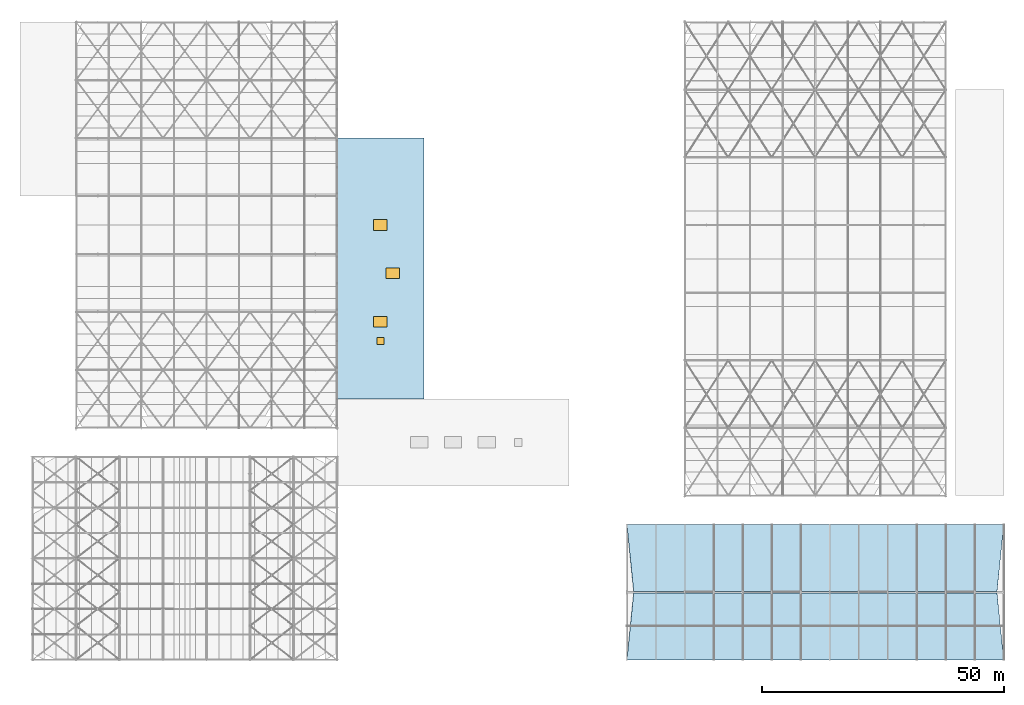
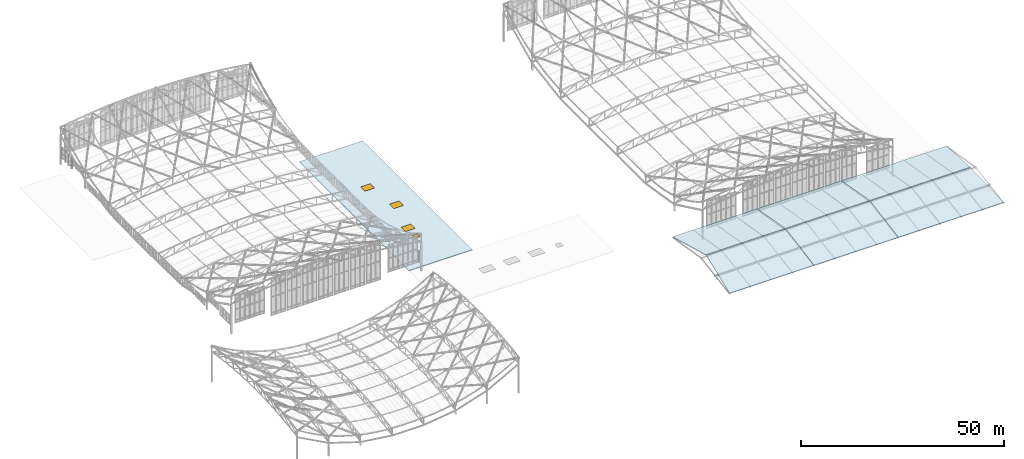
# One storey, part 227 of 262: 7 slabs, 4 windows, 4 openings.
"""IFC4 building model written with IfcOpenShell, lengths in metres."""

from ifc_helpers import new_model, si_unit, derived_unit, direction, frame, origin, origin_2d, place, context, subcontext, project, spatial, polyline, rectangle, outline, extrude, material, layer, layer_set, type_object, element, fill, save


model = new_model("IFC4")

# Units and contexts
model_context = context("Model", 3, precision=1e-05, world=origin(), true_north=direction((0.0, 1.0)))
body_context = subcontext(model_context, "Body", "Model", "MODEL_VIEW")
ifc_project = project(units=[si_unit("LENGTHUNIT", "METRE"), si_unit("AREAUNIT", "SQUARE_METRE"), si_unit("VOLUMEUNIT", "CUBIC_METRE"), si_unit("PLANEANGLEUNIT", "RADIAN"), si_unit("MASSUNIT", "GRAM", prefix="KILO"), derived_unit("THERMALTRANSMITTANCEUNIT", [(si_unit("POWERUNIT", "WATT"), 1), (si_unit("LENGTHUNIT", "METRE"), -2), (si_unit("THERMODYNAMICTEMPERATUREUNIT", "KELVIN"), -1)])], contexts=[model_context])

# Site, building, storey
site_placement = place(None, origin())
site = spatial("IfcSite", under=ifc_project, at=site_placement, CompositionType="ELEMENT")
building_placement = place(site_placement, origin())
building = spatial("IfcBuilding", under=site, at=building_placement, Name="Almenara Railside Exhibition Hall", CompositionType="ELEMENT")
storey_placement = place(building_placement, frame((0.0, 0.0, 21.699951171875)))
storey = spatial("IfcBuildingStorey", under=building, at=storey_placement, Name="RF", CompositionType="ELEMENT", Elevation=21.699951171875)

# Slab, openings, windows
ifc_material_1 = material(Name="White standing-seam over Concrete C35/45 vault deck", Category="concrete")
ifc_layer_1 = layer(ifc_material_1, 0.2099609375, Name="White standing-seam over Concrete C35/45 vault deck")
ifc_layer_set_1 = layer_set([ifc_layer_1], Name="White standing-seam over Concrete C35/45 vault deck")
slab_type_1 = type_object("IfcSlabType", Name="Concourse Barrel-Vault Roof Slab 210mm C35/45", PredefinedType="ROOF", material=ifc_layer_set_1)
slab_1_placement = place(storey_placement, frame((0.0, 0.0, -6.099853515625)))
slab_1 = element("IfcSlab", 1, at=slab_1_placement, inside=storey, type_object=slab_type_1, Name="Concourse West roof 029", PredefinedType="ROOF", context=body_context, shape_type="SweptSolid", body=[
    extrude(outline(polyline([(66.0, 54.0), (84.0, 54.0), (84.0, 108.0), (66.0, 108.0), (66.0, 54.0)])), origin(), (0.0, 0.0, 1.0), 0.2099609375),
])
opening_1_placement = place(slab_1_placement, frame((75.0, 70.0, 0.0)))
opening_1 = element("IfcOpeningElement", 2, at=opening_1_placement, cuts=slab_1, Name="Opening SK-02", PredefinedType="OPENING", context=body_context, shape_type="SweptSolid", body=[
    extrude(rectangle(XDim=2.800048828125, YDim=2.199951171875, at=origin_2d()), frame((0.0, 0.0, -0.010009765625)), (0.0, 0.0, 1.0), 0.22998046875),
])
opening_2_placement = place(slab_1_placement, frame((77.5, 80.0, 0.0)))
opening_2 = element("IfcOpeningElement", 3, at=opening_2_placement, cuts=slab_1, Name="Opening SK-02", PredefinedType="OPENING", context=body_context, shape_type="SweptSolid", body=[
    extrude(rectangle(XDim=2.800048828125, YDim=2.199951171875, at=origin_2d()), frame((0.0, 0.0, -0.010009765625)), (0.0, 0.0, 1.0), 0.22998046875),
])
opening_3_placement = place(slab_1_placement, frame((75.0, 90.0, 0.0)))
opening_3 = element("IfcOpeningElement", 4, at=opening_3_placement, cuts=slab_1, Name="Opening SK-02", PredefinedType="OPENING", context=body_context, shape_type="SweptSolid", body=[
    extrude(rectangle(XDim=2.800048828125, YDim=2.199951171875, at=origin_2d()), frame((0.0, 0.0, -0.010009765625)), (0.0, 0.0, 1.0), 0.22998046875),
])
opening_4_placement = place(slab_1_placement, frame((75.0, 66.0, 0.0)))
opening_4 = element("IfcOpeningElement", 5, at=opening_4_placement, cuts=slab_1, Name="Opening SK-04", PredefinedType="OPENING", context=body_context, shape_type="SweptSolid", body=[
    extrude(rectangle(XDim=1.5, YDim=1.5, at=origin_2d()), frame((0.0, 0.0, -0.010009765625)), (0.0, 0.0, 1.0), 0.22998046875),
])
ifc_material_2 = material(Name="Bronze-anodised aluminium and low-E double glazing", Category="aluminium")
window_type_1 = type_object("IfcWindowType", Name="Concourse West Skylight 2800x2200", PartitioningType="DOUBLE_PANEL_HORIZONTAL", PredefinedType="SKYLIGHT", material=ifc_material_2)
window_1_placement = place(opening_1_placement, frame((0.0, 0.0, 0.159912109375)))
window_1 = element("IfcWindow", 6, at=window_1_placement, inside=storey, type_object=window_type_1, Name="Roof skylight 0133", OverallHeight=2.199951171875, OverallWidth=2.800048828125, PartitioningType="SINGLE_PANEL", PredefinedType="SKYLIGHT", context=body_context, shape_type="SweptSolid", body=[
    extrude(rectangle(XDim=2.800048828125, YDim=2.199951171875, at=origin_2d()), origin(), (0.0, 0.0, 1.0), 0.050048828125),
])
fill(opening_1, window_1)
window_2_placement = place(opening_2_placement, frame((0.0, 0.0, 0.159912109375)))
window_2 = element("IfcWindow", 7, at=window_2_placement, inside=storey, type_object=window_type_1, Name="Roof skylight 0134", OverallHeight=2.199951171875, OverallWidth=2.800048828125, PartitioningType="SINGLE_PANEL", PredefinedType="SKYLIGHT", context=body_context, shape_type="SweptSolid", body=[
    extrude(rectangle(XDim=2.800048828125, YDim=2.199951171875, at=origin_2d()), origin(), (0.0, 0.0, 1.0), 0.050048828125),
])
fill(opening_2, window_2)
window_3_placement = place(opening_3_placement, frame((0.0, 0.0, 0.159912109375)))
window_3 = element("IfcWindow", 8, at=window_3_placement, inside=storey, type_object=window_type_1, Name="Roof skylight 0135", OverallHeight=2.199951171875, OverallWidth=2.800048828125, PartitioningType="SINGLE_PANEL", PredefinedType="SKYLIGHT", context=body_context, shape_type="SweptSolid", body=[
    extrude(rectangle(XDim=2.800048828125, YDim=2.199951171875, at=origin_2d()), origin(), (0.0, 0.0, 1.0), 0.050048828125),
])
fill(opening_3, window_3)
window_type_2 = type_object("IfcWindowType", Name="Plenary Roof Lantern Skylight 1500x1500", PartitioningType="SINGLE_PANEL", PredefinedType="SKYLIGHT", material=ifc_material_2)
window_4_placement = place(opening_4_placement, frame((0.0, 0.0, 0.159912109375)))
window_4 = element("IfcWindow", 9, at=window_4_placement, inside=storey, type_object=window_type_2, Name="Roof skylight 0137", OverallHeight=1.5, OverallWidth=1.5, PartitioningType="SINGLE_PANEL", PredefinedType="SKYLIGHT", context=body_context, shape_type="SweptSolid", body=[
    extrude(rectangle(XDim=1.5, YDim=1.5, at=origin_2d()), origin(), (0.0, 0.0, 1.0), 0.050048828125),
])
fill(opening_4, window_4)

# Slabs
ifc_material_3 = material(Name="Cordova red clay barrel-tile over Concrete C35/45 deck", Category="concrete")
ifc_layer_2 = layer(ifc_material_3, 0.219970703125, Name="Cordova red clay barrel-tile over Concrete C35/45 deck")
ifc_layer_set_2 = layer_set([ifc_layer_2], Name="Cordova red clay barrel-tile over Concrete C35/45 deck")
slab_type_2 = type_object("IfcSlabType", Name="Cordova Clay Barrel-Tile Roof Deck 220mm C35/45", PredefinedType="ROOF", material=ifc_layer_set_2)
slab_2_placement = place(storey_placement, frame((126.0, 0.0, -0.949951171875), z_axis=(0.0, -0.177264334688, 0.984163276925), x_axis=(1.0, 0.0, 0.0)))
element("IfcSlab", 10, at=slab_2_placement, inside=storey, type_object=slab_type_2, Name="Congress Wing Cordova tile south slope 1", PredefinedType="ROOF", context=body_context, shape_type="SweptSolid", body=[
    extrude(outline(polyline([(0.0, 0.0), (24.0, 0.0), (24.0, 14.103231788804043), (1.39990234375, 14.103231788804043), (0.0, 0.0)])), origin(), (0.0, 0.0, -1.0), 0.219970703125),
])
slab_3_placement = place(storey_placement, frame((127.39990234375, 14.1201171875, 1.550048828125), z_axis=(0.0, 0.177264334688, 0.984163276925), x_axis=(1.0, 0.0, 0.0)))
element("IfcSlab", 11, at=slab_3_placement, inside=storey, type_object=slab_type_2, Name="Congress Wing Cordova tile north slope 1", PredefinedType="ROOF", context=body_context, shape_type="SweptSolid", body=[
    extrude(outline(polyline([(0.0, 0.0), (22.60009765625, 0.0), (22.60009765625, 14.103231788804043), (-1.39990234375, 14.103231788804043), (0.0, 0.0)])), origin(), (0.0, 0.0, -1.0), 0.219970703125),
])
for number, where, z_axis, x_axis, name in (
    (12, (150.0, 0.0, -0.949951171875), (0.0, -0.177264334688, 0.984163276925), (1.0, 0.0, 0.0), "Congress Wing Cordova tile south slope 2"),
    (13, (150.0, 14.1201171875, 1.550048828125), (0.0, 0.177264334688, 0.984163276925), (1.0, 0.0, 0.0), "Congress Wing Cordova tile north slope 2"),
):
    element("IfcSlab", number, at=place(storey_placement, frame(where, z_axis=z_axis, x_axis=x_axis)), inside=storey, type_object=slab_type_2, Name=name, PredefinedType="ROOF", context=body_context, shape_type="SweptSolid", body=[
        extrude(outline(polyline([(0.0, 0.0), (24.0, 0.0), (24.0, 14.103231788804045), (0.0, 14.103231788804045), (0.0, 0.0)])), origin(), (0.0, 0.0, -1.0), 0.219970703125),
    ])
slab_4_placement = place(storey_placement, frame((174.0, 0.0, -0.949951171875), z_axis=(0.0, -0.177264334688, 0.984163276925), x_axis=(1.0, 0.0, 0.0)))
element("IfcSlab", 14, at=slab_4_placement, inside=storey, type_object=slab_type_2, Name="Congress Wing Cordova tile south slope 3", PredefinedType="ROOF", context=body_context, shape_type="SweptSolid", body=[
    extrude(outline(polyline([(0.0, 0.0), (30.0, 0.0), (28.60009765625, 14.103231788804043), (0.0, 14.103231788804043), (0.0, 0.0)])), origin(), (0.0, 0.0, -1.0), 0.219970703125),
])
slab_5_placement = place(storey_placement, frame((174.0, 14.1201171875, 1.550048828125), z_axis=(0.0, 0.177264334688, 0.984163276925), x_axis=(1.0, 0.0, 0.0)))
element("IfcSlab", 15, at=slab_5_placement, inside=storey, type_object=slab_type_2, Name="Congress Wing Cordova tile north slope 3", PredefinedType="ROOF", context=body_context, shape_type="SweptSolid", body=[
    extrude(outline(polyline([(0.0, 0.0), (28.60009765625, 0.0), (30.0, 14.103231788804043), (0.0, 14.103231788804043), (0.0, 0.0)])), origin(), (0.0, 0.0, -1.0), 0.219970703125),
])

save(model, "model.ifc")
